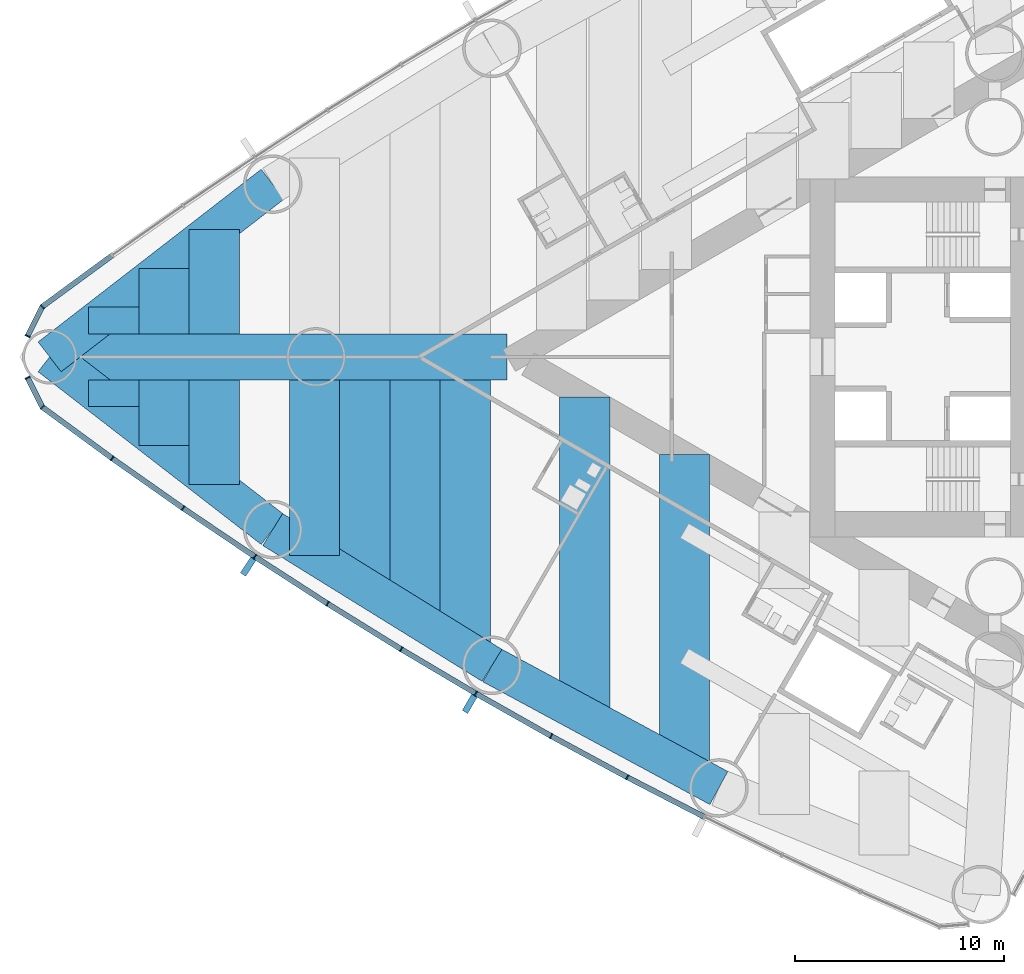
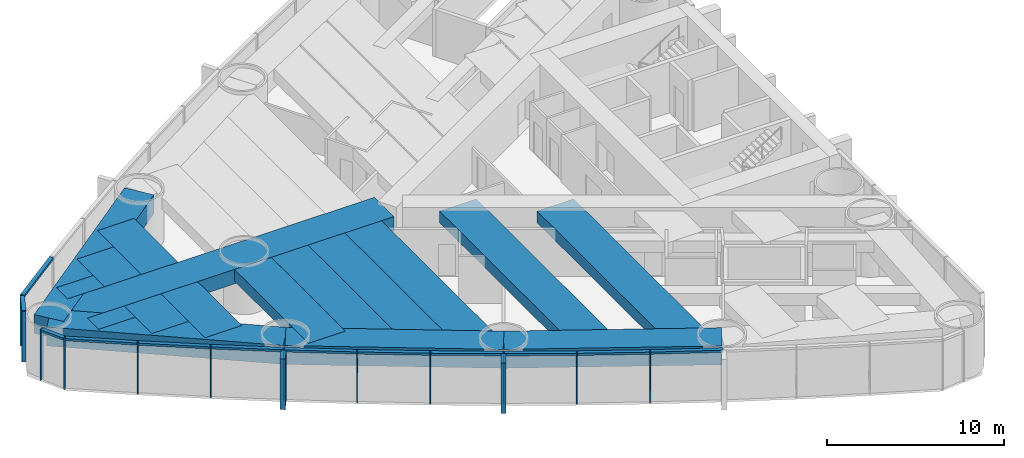
# One storey, part 2 of 19: 26 members, 17 beams, 2 elements without a shape of their own.
"""IFC4 building model written with IfcOpenShell, lengths in metres."""

from ifc_helpers import new_model, si_unit, direction, frame, origin, origin_2d, place, context, subcontext, project, spatial, rectangle, extrude, material, material_profile, profile_set, type_object, element, aggregate, save


model = new_model("IFC4")

# Units and contexts
model_context = context("Model", 3, precision=1e-05, world=origin(), true_north=direction((0.0, 1.0)))
body_context = subcontext(model_context, "Body", "Model", "MODEL_VIEW")
ifc_project = project(units=[si_unit("LENGTHUNIT", "METRE"), si_unit("AREAUNIT", "SQUARE_METRE"), si_unit("VOLUMEUNIT", "CUBIC_METRE"), si_unit("PLANEANGLEUNIT", "RADIAN"), si_unit("MASSUNIT", "GRAM", prefix="KILO")], contexts=[model_context])

# Site, building, storey
site_placement = place(None, origin())
site = spatial("IfcSite", under=ifc_project, at=site_placement, CompositionType="ELEMENT")
building_placement = place(site_placement, origin())
building = spatial("IfcBuilding", under=site, at=building_placement, Name="Lancet Gate Hotel", CompositionType="ELEMENT")
storey_placement = place(building_placement, frame((0.0, 0.0, 25.0)))
storey = spatial("IfcBuildingStorey", under=building, at=storey_placement, Name="L05", CompositionType="ELEMENT", Elevation=25.0)

# Curtain wall, members
ifc_material_1 = material(Name="Aluminium curtain wall", Category="aluminium")
curtain_wall_type = type_object("IfcCurtainWallType", Name="Tower unitised curtain wall", PredefinedType="USERDEFINED", material=ifc_material_1)
curtain_wall_1_placement = place(storey_placement, origin())
curtain_wall_1 = element("IfcCurtainWall", 1, at=curtain_wall_1_placement, inside=storey, type_object=curtain_wall_type, Name="T1 L05 curtain wall 2", ObjectType="UNITISED CURTAIN WALL", PredefinedType="USERDEFINED")
ifc_material_2 = material(Name="Aluminium mullion", Category="aluminium")
ifc_material_profile_1 = material_profile(ifc_material_2, rectangle(XDim=0.06494140625, YDim=0.25, at=origin_2d()), Name="MULLION 65x250")
ifc_profile_set_1 = profile_set([ifc_material_profile_1], Name="Aluminium mullion")
member_type_1 = type_object("IfcMemberType", Name="Aluminium mullion 65x250", PredefinedType="MULLION", material=ifc_profile_set_1)
member_1_placement = place(storey_placement, frame((-74.5830078125, 2.401611328125, 0.0), z_axis=(0.0, 0.0, 1.0), x_axis=(-0.723695580132, -0.690119342793, 0.0)))
member_1 = element("IfcMember", 2, at=member_1_placement, type_object=member_type_1, Name="T1 L05 curtain wall 2 mullion 14", PredefinedType="MULLION", context=body_context, shape_type="SweptSolid", body=[
    extrude(rectangle(XDim=0.06494140625, YDim=0.25, at=origin_2d()), origin(), (0.0, 0.0, 1.0), 3.5),
])
member_2_placement = place(storey_placement, frame((-75.287109375, 0.994873046875, 0.0), z_axis=(0.0, 0.0, 1.0), x_axis=(-0.447628324726, -0.89421970617, 0.0)))
member_2 = element("IfcMember", 3, at=member_2_placement, type_object=member_type_1, Name="T1 L05 curtain wall 2 mullion 15", PredefinedType="MULLION", context=body_context, shape_type="SweptSolid", body=[
    extrude(rectangle(XDim=0.06494140625, YDim=0.25, at=origin_2d()), origin(), (0.0, 0.0, 1.0), 3.5),
])

curtain_wall_2_placement = place(storey_placement, origin())
curtain_wall_2 = element("IfcCurtainWall", 4, at=curtain_wall_2_placement, inside=storey, type_object=curtain_wall_type, Name="T1 L05 curtain wall 3", ObjectType="UNITISED CURTAIN WALL", PredefinedType="USERDEFINED")
member_3_placement = place(storey_placement, frame((-75.287109375, -0.994873046875, 0.0), z_axis=(0.0, 0.0, 1.0), x_axis=(0.447628324726, -0.89421970617, 0.0)))
member_3 = element("IfcMember", 5, at=member_3_placement, type_object=member_type_1, Name="T1 L05 curtain wall 3 mullion 1", PredefinedType="MULLION", context=body_context, shape_type="SweptSolid", body=[
    extrude(rectangle(XDim=0.06494140625, YDim=0.25, at=origin_2d()), origin(), (0.0, 0.0, 1.0), 3.5),
])
member_4_placement = place(storey_placement, frame((-74.5830078125, -2.401611328125, 0.0), z_axis=(0.0, 0.0, 1.0), x_axis=(0.723695580132, -0.690119342793, 0.0)))
member_4 = element("IfcMember", 6, at=member_4_placement, type_object=member_type_1, Name="T1 L05 curtain wall 3 mullion 2", PredefinedType="MULLION", context=body_context, shape_type="SweptSolid", body=[
    extrude(rectangle(XDim=0.06494140625, YDim=0.25, at=origin_2d()), origin(), (0.0, 0.0, 1.0), 3.5),
])
member_5_placement = place(storey_placement, frame((-71.244384765625, -4.85009765625, 0.0), z_axis=(0.0, 0.0, 1.0), x_axis=(0.812146623168, -0.583453393578, 0.0)))
member_5 = element("IfcMember", 7, at=member_5_placement, type_object=member_type_1, Name="T1 L05 curtain wall 3 mullion 3", PredefinedType="MULLION", context=body_context, shape_type="SweptSolid", body=[
    extrude(rectangle(XDim=0.06494140625, YDim=0.25, at=origin_2d()), origin(), (0.0, 0.0, 1.0), 3.5),
])
member_6_placement = place(storey_placement, frame((-67.858154296875, -7.232666015625, 0.0), z_axis=(0.0, 0.0, 1.0), x_axis=(0.823425148573, -0.56742490666, 0.0)))
member_6 = element("IfcMember", 8, at=member_6_placement, type_object=member_type_1, Name="T1 L05 curtain wall 3 mullion 4", PredefinedType="MULLION", context=body_context, shape_type="SweptSolid", body=[
    extrude(rectangle(XDim=0.06494140625, YDim=0.25, at=origin_2d()), origin(), (0.0, 0.0, 1.0), 3.5),
])
member_7_placement = place(storey_placement, frame((-64.42626953125, -9.548583984375, 0.0), z_axis=(0.0, 0.0, 1.0), x_axis=(0.834387381945, -0.55117846189, 0.0)))
member_7 = element("IfcMember", 9, at=member_7_placement, type_object=member_type_1, Name="T1 L05 curtain wall 3 mullion 5", PredefinedType="MULLION", context=body_context, shape_type="SweptSolid", body=[
    extrude(rectangle(XDim=0.06494140625, YDim=0.25, at=origin_2d()), origin(), (0.0, 0.0, 1.0), 3.5),
])
member_8_placement = place(storey_placement, frame((-60.949462890625, -11.796630859375, 0.0), z_axis=(0.0, 0.0, 1.0), x_axis=(0.845029112489, -0.534720299827, 0.0)))
member_8 = element("IfcMember", 10, at=member_8_placement, type_object=member_type_1, Name="T1 L05 curtain wall 3 mullion 6", PredefinedType="MULLION", context=body_context, shape_type="SweptSolid", body=[
    extrude(rectangle(XDim=0.06494140625, YDim=0.25, at=origin_2d()), origin(), (0.0, 0.0, 1.0), 3.5),
])
member_9_placement = place(storey_placement, frame((-57.42919921875, -13.97607421875, 0.0), z_axis=(0.0, 0.0, 1.0), x_axis=(0.855346252548, -0.518056742309, 0.0)))
member_9 = element("IfcMember", 11, at=member_9_placement, type_object=member_type_1, Name="T1 L05 curtain wall 3 mullion 7", PredefinedType="MULLION", context=body_context, shape_type="SweptSolid", body=[
    extrude(rectangle(XDim=0.06494140625, YDim=0.25, at=origin_2d()), origin(), (0.0, 0.0, 1.0), 3.5),
])
member_10_placement = place(storey_placement, frame((-53.866943359375, -16.086181640625, 0.0), z_axis=(0.0, 0.0, 1.0), x_axis=(0.86533483912, -0.501194190115, 0.0)))
member_10 = element("IfcMember", 12, at=member_10_placement, type_object=member_type_1, Name="T1 L05 curtain wall 3 mullion 8", PredefinedType="MULLION", context=body_context, shape_type="SweptSolid", body=[
    extrude(rectangle(XDim=0.06494140625, YDim=0.25, at=origin_2d()), origin(), (0.0, 0.0, 1.0), 3.5),
])
member_11_placement = place(storey_placement, frame((-50.26416015625, -18.1259765625, 0.0), z_axis=(0.0, 0.0, 1.0), x_axis=(0.874991035403, -0.484139120464, 0.0)))
member_11 = element("IfcMember", 13, at=member_11_placement, type_object=member_type_1, Name="T1 L05 curtain wall 3 mullion 9", PredefinedType="MULLION", context=body_context, shape_type="SweptSolid", body=[
    extrude(rectangle(XDim=0.06494140625, YDim=0.25, at=origin_2d()), origin(), (0.0, 0.0, 1.0), 3.5),
])
member_12_placement = place(storey_placement, frame((-46.6220703125, -20.094970703125, 0.0), z_axis=(0.0, 0.0, 1.0), x_axis=(0.884311132302, -0.466898084475, 0.0)))
member_12 = element("IfcMember", 14, at=member_12_placement, type_object=member_type_1, Name="T1 L05 curtain wall 3 mullion 10", PredefinedType="MULLION", context=body_context, shape_type="SweptSolid", body=[
    extrude(rectangle(XDim=0.06494140625, YDim=0.25, at=origin_2d()), origin(), (0.0, 0.0, 1.0), 3.5),
])

# Member
ifc_material_3 = material(Name="Aluminium transom", Category="aluminium")
ifc_material_profile_2 = material_profile(ifc_material_3, rectangle(XDim=0.25, YDim=0.14990234375, at=origin_2d()), Name="TRANSOM 250x150")
ifc_profile_set_2 = profile_set([ifc_material_profile_2], Name="Aluminium transom")
member_type_2 = type_object("IfcMemberType", Name="Aluminium transom 250x150", PredefinedType="USERDEFINED", material=ifc_profile_set_2)
member_13_placement = place(storey_placement, frame((-71.2705078125, 4.8310546875, 3.425048828125), z_axis=(-0.806366902144, -0.59141560609, 0.0), x_axis=(0.59141560609, -0.806366902144, 0.0)))
member_13 = element("IfcMember", 15, at=member_13_placement, type_object=member_type_2, Name="T1 L05 curtain wall 2 transom 13", ObjectType="TRANSOM", PredefinedType="USERDEFINED", context=body_context, shape_type="SweptSolid", body=[
    extrude(rectangle(XDim=0.25, YDim=0.14990234375, at=origin_2d()), origin(), (0.0, 0.0, 1.0), 4.0751953125),
])

member_14_placement = place(storey_placement, frame((-74.597412109375, 2.37255859375, 3.425048828125), z_axis=(-0.447731503446, -0.894168049542, 0.0), x_axis=(0.894168049542, -0.447731503446, 0.0)))
member_14 = element("IfcMember", 16, at=member_14_placement, type_object=member_type_2, Name="T1 L05 curtain wall 2 transom 14", ObjectType="TRANSOM", PredefinedType="USERDEFINED", context=body_context, shape_type="SweptSolid", body=[
    extrude(rectangle(XDim=0.25, YDim=0.14990234375, at=origin_2d()), origin(), (0.0, 0.0, 1.0), 1.50830078125),
])

aggregate(curtain_wall_1, [member_1, member_2, member_13, member_14])

member_15_placement = place(storey_placement, frame((-75.272705078125, -1.02392578125, 3.425048828125), z_axis=(0.447731503446, -0.894168049542, 0.0), x_axis=(0.894168049542, 0.447731503446, 0.0)))
member_15 = element("IfcMember", 17, at=member_15_placement, type_object=member_type_2, Name="T1 L05 curtain wall 3 transom 1", ObjectType="TRANSOM", PredefinedType="USERDEFINED", context=body_context, shape_type="SweptSolid", body=[
    extrude(rectangle(XDim=0.25, YDim=0.14990234375, at=origin_2d()), origin(), (0.0, 0.0, 1.0), 1.50830078125),
])

member_16_placement = place(storey_placement, frame((-74.556640625, -2.4208984375, 3.425048828125), z_axis=(0.806366902144, -0.59141560609, 0.0), x_axis=(0.59141560609, 0.806366902144, 0.0)))
member_16 = element("IfcMember", 18, at=member_16_placement, type_object=member_type_2, Name="T1 L05 curtain wall 3 transom 2", ObjectType="TRANSOM", PredefinedType="USERDEFINED", context=body_context, shape_type="SweptSolid", body=[
    extrude(rectangle(XDim=0.25, YDim=0.14990234375, at=origin_2d()), origin(), (0.0, 0.0, 1.0), 4.0751953125),
])

member_17_placement = place(storey_placement, frame((-71.2177734375, -4.868896484375, 3.425048828125), z_axis=(0.817833568345, -0.57545482402, 0.0), x_axis=(0.57545482402, 0.817833568345, 0.0)))
member_17 = element("IfcMember", 19, at=member_17_placement, type_object=member_type_2, Name="T1 L05 curtain wall 3 transom 3", ObjectType="TRANSOM", PredefinedType="USERDEFINED", context=body_context, shape_type="SweptSolid", body=[
    extrude(rectangle(XDim=0.25, YDim=0.14990234375, at=origin_2d()), origin(), (0.0, 0.0, 1.0), 4.075439453125),
])

member_18_placement = place(storey_placement, frame((-67.831298828125, -7.2509765625, 3.425048828125), z_axis=(0.828959086782, -0.559309245804, 0.0), x_axis=(0.559309245804, 0.828959086782, 0.0)))
member_18 = element("IfcMember", 20, at=member_18_placement, type_object=member_type_2, Name="T1 L05 curtain wall 3 transom 4", ObjectType="TRANSOM", PredefinedType="USERDEFINED", context=body_context, shape_type="SweptSolid", body=[
    extrude(rectangle(XDim=0.25, YDim=0.14990234375, at=origin_2d()), origin(), (0.0, 0.0, 1.0), 4.0751953125),
])

member_19_placement = place(storey_placement, frame((-64.39892578125, -9.566162109375, 3.425048828125), z_axis=(0.839729242404, -0.543005340169, 0.0), x_axis=(0.543005340169, 0.839729242404, 0.0)))
member_19 = element("IfcMember", 21, at=member_19_placement, type_object=member_type_2, Name="T1 L05 curtain wall 3 transom 5", ObjectType="TRANSOM", PredefinedType="USERDEFINED", context=body_context, shape_type="SweptSolid", body=[
    extrude(rectangle(XDim=0.25, YDim=0.14990234375, at=origin_2d()), origin(), (0.0, 0.0, 1.0), 4.0751953125),
])

member_20_placement = place(storey_placement, frame((-60.921875, -11.813720703125, 3.425048828125), z_axis=(0.850242165643, -0.526391736032, 0.0), x_axis=(0.526391736032, 0.850242165643, 0.0)))
member_20 = element("IfcMember", 22, at=member_20_placement, type_object=member_type_2, Name="T1 L05 curtain wall 3 transom 6", ObjectType="TRANSOM", PredefinedType="USERDEFINED", context=body_context, shape_type="SweptSolid", body=[
    extrude(rectangle(XDim=0.25, YDim=0.14990234375, at=origin_2d()), origin(), (0.0, 0.0, 1.0), 4.075439453125),
])

member_21_placement = place(storey_placement, frame((-57.4013671875, -13.99267578125, 3.425048828125), z_axis=(0.86039174806, -0.509633240547, 0.0), x_axis=(0.509633240547, 0.86039174806, 0.0)))
member_21 = element("IfcMember", 23, at=member_21_placement, type_object=member_type_2, Name="T1 L05 curtain wall 3 transom 7", ObjectType="TRANSOM", PredefinedType="USERDEFINED", context=body_context, shape_type="SweptSolid", body=[
    extrude(rectangle(XDim=0.25, YDim=0.14990234375, at=origin_2d()), origin(), (0.0, 0.0, 1.0), 4.0751953125),
])

member_22_placement = place(storey_placement, frame((-53.838623046875, -16.102294921875, 3.425048828125), z_axis=(0.870197729943, -0.492702659625, 0.0), x_axis=(0.492702659625, 0.870197729943, 0.0)))
member_22 = element("IfcMember", 24, at=member_22_placement, type_object=member_type_2, Name="T1 L05 curtain wall 3 transom 8", ObjectType="TRANSOM", PredefinedType="USERDEFINED", context=body_context, shape_type="SweptSolid", body=[
    extrude(rectangle(XDim=0.25, YDim=0.14990234375, at=origin_2d()), origin(), (0.0, 0.0, 1.0), 4.0751953125),
])

member_23_placement = place(storey_placement, frame((-50.235595703125, -18.1416015625, 3.425048828125), z_axis=(0.87971396408, -0.475503250675, 0.0), x_axis=(0.475503250675, 0.87971396408, 0.0)))
member_23 = element("IfcMember", 25, at=member_23_placement, type_object=member_type_2, Name="T1 L05 curtain wall 3 transom 9", ObjectType="TRANSOM", PredefinedType="USERDEFINED", context=body_context, shape_type="SweptSolid", body=[
    extrude(rectangle(XDim=0.25, YDim=0.14990234375, at=origin_2d()), origin(), (0.0, 0.0, 1.0), 4.0751953125),
])

member_24_placement = place(storey_placement, frame((-46.593017578125, -20.10986328125, 3.425048828125), z_axis=(0.888859972399, -0.458178949175, 0.0), x_axis=(0.458178949175, 0.888859972399, 0.0)))
member_24 = element("IfcMember", 26, at=member_24_placement, type_object=member_type_2, Name="T1 L05 curtain wall 3 transom 10", ObjectType="TRANSOM", PredefinedType="USERDEFINED", context=body_context, shape_type="SweptSolid", body=[
    extrude(rectangle(XDim=0.25, YDim=0.14990234375, at=origin_2d()), origin(), (0.0, 0.0, 1.0), 4.0751953125),
])

# Beams
ifc_material_4 = material(Name="Concrete C50/60", Category="concrete")
ifc_material_profile_3 = material_profile(ifc_material_4, rectangle(XDim=1.800048828125, YDim=1.300048828125, at=origin_2d()), Name="RC 1800x1300")
ifc_profile_set_3 = profile_set([ifc_material_profile_3], Name="Concrete C50/60")
beam_type_1 = type_object("IfcBeamType", Name="Edge beam RC 1800x1300", PredefinedType="SPANDREL", material=ifc_profile_set_3)
for number, where, z_axis, x_axis, name in (
    (27, (-63.57177734375, 8.255126953125, 2.60009765625), (-0.790736428665, -0.612156761281, 0.0), (0.612156761281, -0.790736428665, 0.0), "T1 edge beam EB1 L05"),
    (28, (-74.235107421875, 0.0, 2.60009765625), (0.790736428665, -0.612156761281, 0.0), (0.612156761281, 0.790736428665, 0.0), "T1 edge beam EB1 L05"),
):
    element("IfcBeam", number, at=place(storey_placement, frame(where, z_axis=z_axis, x_axis=x_axis)), inside=storey, type_object=beam_type_1, Name=name, PredefinedType="SPANDREL", context=body_context, shape_type="SweptSolid", body=[
        extrude(rectangle(XDim=1.800048828125, YDim=1.300048828125, at=origin_2d()), origin(), (0.0, 0.0, 1.0), 13.4853515625),
    ])
for number, where, z_axis, x_axis, name in (
    (29, (-63.57177734375, -8.255126953125, 2.60009765625), (0.850225894333, -0.526418016984, 0.0), (0.526418016984, 0.850225894333, 0.0), "T1 edge beam EB1 L05"),
    (30, (-53.090087890625, -14.744873046875, 2.60009765625), (0.879692855603, -0.475542300749, 0.0), (0.475542300749, 0.879692855603, 0.0), "T1 edge beam EB1 L05"),
):
    element("IfcBeam", number, at=place(storey_placement, frame(where, z_axis=z_axis, x_axis=x_axis)), inside=storey, type_object=beam_type_1, Name=name, PredefinedType="SPANDREL", context=body_context, shape_type="SweptSolid", body=[
        extrude(rectangle(XDim=1.800048828125, YDim=1.300048828125, at=origin_2d()), origin(), (0.0, 0.0, 1.0), 12.328125),
    ])

# Member
ifc_material_5 = material(Name="Precast concrete C50/60", Category="concrete")
ifc_material_profile_4 = material_profile(ifc_material_5, rectangle(XDim=0.300048828125, YDim=0.89990234375, at=origin_2d()), Name="FIN 300x900")
ifc_profile_set_4 = profile_set([ifc_material_profile_4], Name="Precast concrete C50/60")
member_type_3 = type_object("IfcMemberType", Name="Exposed concrete fin 300x900", PredefinedType="USERDEFINED", material=ifc_profile_set_4)
member_25_placement = place(storey_placement, frame((-64.7431640625, -10.0283203125, 0.0), z_axis=(0.0, 0.0, 1.0), x_axis=(0.834387381945, -0.55117846189, 0.0)))
member_25 = element("IfcMember", 31, at=member_25_placement, type_object=member_type_3, Name="T1 L05 curtain wall 3 fin 5", ObjectType="FIN", PredefinedType="USERDEFINED", context=body_context, shape_type="SweptSolid", body=[
    extrude(rectangle(XDim=0.300048828125, YDim=0.89990234375, at=origin_2d()), origin(), (0.0, 0.0, 1.0), 3.5),
])

member_26_placement = place(storey_placement, frame((-54.1552734375, -16.583740234375, 0.0), z_axis=(0.0, 0.0, 1.0), x_axis=(0.86533483912, -0.501194190115, 0.0)))
member_26 = element("IfcMember", 32, at=member_26_placement, type_object=member_type_3, Name="T1 L05 curtain wall 3 fin 8", ObjectType="FIN", PredefinedType="USERDEFINED", context=body_context, shape_type="SweptSolid", body=[
    extrude(rectangle(XDim=0.300048828125, YDim=0.89990234375, at=origin_2d()), origin(), (0.0, 0.0, 1.0), 3.5),
])

aggregate(curtain_wall_2, [member_3, member_4, member_5, member_6, member_7, member_25, member_8, member_9, member_10, member_26, member_11, member_12, member_15, member_16, member_17, member_18, member_19, member_20, member_21, member_22, member_23, member_24])

# Beams
ifc_material_6 = material(Name="Concrete C50/60", Category="concrete")
ifc_material_profile_5 = material_profile(ifc_material_6, rectangle(XDim=2.39990234375, YDim=0.800048828125, at=origin_2d()), Name="RC 2400x800")
ifc_profile_set_5 = profile_set([ifc_material_profile_5], Name="Concrete C50/60")
beam_type_2 = type_object("IfcBeamType", Name="Floor beam RC 2400x800", PredefinedType="BEAM", material=ifc_profile_set_5)
beam_1_placement = place(storey_placement, frame((-43.891357421875, -4.663330078125, 2.85009765625), z_axis=(0.0, -1.0, 0.0), x_axis=(1.0, 0.0, 0.0)))
element("IfcBeam", 33, at=beam_1_placement, inside=storey, type_object=beam_type_2, Name="T1 floor beam F08N L05", PredefinedType="BEAM", context=body_context, shape_type="SweptSolid", body=[
    extrude(rectangle(XDim=2.39990234375, YDim=0.800048828125, at=origin_2d()), origin(), (0.0, 0.0, 1.0), 15.05419921875),
])
beam_2_placement = place(storey_placement, frame((-48.66015625, -1.909912109375, 2.85009765625), z_axis=(0.0, -1.0, 0.0), x_axis=(1.0, 0.0, 0.0)))
element("IfcBeam", 34, at=beam_2_placement, inside=storey, type_object=beam_type_2, Name="T1 floor beam F11N L05", PredefinedType="BEAM", context=body_context, shape_type="SweptSolid", body=[
    extrude(rectangle(XDim=2.39990234375, YDim=0.800048828125, at=origin_2d()), origin(), (0.0, 0.0, 1.0), 15.229736328125),
])
beam_3_placement = place(storey_placement, frame((-54.3681640625, -1.10009765625, 2.85009765625), z_axis=(0.0, -1.0, 0.0), x_axis=(1.0, 0.0, 0.0)))
element("IfcBeam", 35, at=beam_3_placement, inside=storey, type_object=beam_type_2, Name="T1 floor beam F14N L05", PredefinedType="BEAM", context=body_context, shape_type="SweptSolid", body=[
    extrude(rectangle(XDim=2.39990234375, YDim=0.800048828125, at=origin_2d()), origin(), (0.0, 0.0, 1.0), 12.853515625),
])
beam_4_placement = place(storey_placement, frame((-56.768310546875, -1.10009765625, 2.85009765625), z_axis=(0.0, -1.0, 0.0), x_axis=(1.0, 0.0, 0.0)))
element("IfcBeam", 36, at=beam_4_placement, inside=storey, type_object=beam_type_2, Name="T1 floor beam F16N L05", PredefinedType="BEAM", context=body_context, shape_type="SweptSolid", body=[
    extrude(rectangle(XDim=2.39990234375, YDim=0.800048828125, at=origin_2d()), origin(), (0.0, 0.0, 1.0), 11.367431640625),
])
beam_5_placement = place(storey_placement, frame((-59.168212890625, -1.10009765625, 2.85009765625), z_axis=(0.0, -1.0, 0.0), x_axis=(1.0, 0.0, 0.0)))
element("IfcBeam", 37, at=beam_5_placement, inside=storey, type_object=beam_type_2, Name="T1 floor beam F18N L05", PredefinedType="BEAM", context=body_context, shape_type="SweptSolid", body=[
    extrude(rectangle(XDim=2.39990234375, YDim=0.800048828125, at=origin_2d()), origin(), (0.0, 0.0, 1.0), 9.881591796875),
])
beam_6_placement = place(storey_placement, frame((-61.568359375, -1.10009765625, 2.85009765625), z_axis=(0.0, -1.0, 0.0), x_axis=(1.0, 0.0, 0.0)))
element("IfcBeam", 38, at=beam_6_placement, inside=storey, type_object=beam_type_2, Name="T1 floor beam F20N L05", PredefinedType="BEAM", context=body_context, shape_type="SweptSolid", body=[
    extrude(rectangle(XDim=2.39990234375, YDim=0.800048828125, at=origin_2d()), origin(), (0.0, 0.0, 1.0), 8.395751953125),
])
for number, where, z_axis, x_axis, name in (
    (39, (-66.3681640625, 6.09033203125, 2.85009765625), (0.0, -1.0, 0.0), (1.0, 0.0, 0.0), "T1 floor beam F21S L05"),
    (40, (-66.3681640625, -1.10009765625, 2.85009765625), (0.0, -1.0, 0.0), (1.0, 0.0, 0.0), "T1 floor beam F22N L05"),
):
    element("IfcBeam", number, at=place(storey_placement, frame(where, z_axis=z_axis, x_axis=x_axis)), inside=storey, type_object=beam_type_2, Name=name, PredefinedType="BEAM", context=body_context, shape_type="SweptSolid", body=[
        extrude(rectangle(XDim=2.39990234375, YDim=0.800048828125, at=origin_2d()), origin(), (0.0, 0.0, 1.0), 4.990234375),
    ])
for number, where, z_axis, x_axis, name in (
    (41, (-68.768310546875, 4.232421875, 2.85009765625), (0.0, -1.0, 0.0), (1.0, 0.0, 0.0), "T1 floor beam F23S L05"),
    (42, (-68.768310546875, -1.10009765625, 2.85009765625), (0.0, -1.0, 0.0), (1.0, 0.0, 0.0), "T1 floor beam F24N L05"),
):
    element("IfcBeam", number, at=place(storey_placement, frame(where, z_axis=z_axis, x_axis=x_axis)), inside=storey, type_object=beam_type_2, Name=name, PredefinedType="BEAM", context=body_context, shape_type="SweptSolid", body=[
        extrude(rectangle(XDim=2.39990234375, YDim=0.800048828125, at=origin_2d()), origin(), (0.0, 0.0, 1.0), 3.13232421875),
    ])
for number, where, z_axis, x_axis, name in (
    (43, (-71.168212890625, 2.374267578125, 2.85009765625), (0.0, -1.0, 0.0), (1.0, 0.0, 0.0), "T1 floor beam F25S L05"),
    (44, (-71.168212890625, -1.10009765625, 2.85009765625), (0.0, -1.0, 0.0), (1.0, 0.0, 0.0), "T1 floor beam F26N L05"),
):
    element("IfcBeam", number, at=place(storey_placement, frame(where, z_axis=z_axis, x_axis=x_axis)), inside=storey, type_object=beam_type_2, Name=name, PredefinedType="BEAM", context=body_context, shape_type="SweptSolid", body=[
        extrude(rectangle(XDim=2.39990234375, YDim=0.800048828125, at=origin_2d()), origin(), (0.0, 0.0, 1.0), 1.274169921875),
    ])
ifc_material_7 = material(Name="Concrete C50/60", Category="concrete")
ifc_material_profile_6 = material_profile(ifc_material_7, rectangle(XDim=2.199951171875, YDim=1.0, at=origin_2d()), Name="RC 2200x1000")
ifc_profile_set_6 = profile_set([ifc_material_profile_6], Name="Concrete C50/60")
beam_type_3 = type_object("IfcBeamType", Name="Radial floor beam RC 2200x1000", PredefinedType="BEAM", material=ifc_profile_set_6)
beam_7_placement = place(storey_placement, frame((-74.235107421875, 0.0, 2.75), z_axis=(1.0, 0.0, 0.0), x_axis=(0.0, 1.0, 0.0)))
element("IfcBeam", 45, at=beam_7_placement, inside=storey, type_object=beam_type_3, Name="T1 radial beam CA L05", PredefinedType="BEAM", context=body_context, shape_type="SweptSolid", body=[
    extrude(rectangle(XDim=2.199951171875, YDim=1.0, at=origin_2d()), origin(), (0.0, 0.0, 1.0), 21.866943359375),
])

save(model, "model.ifc")
